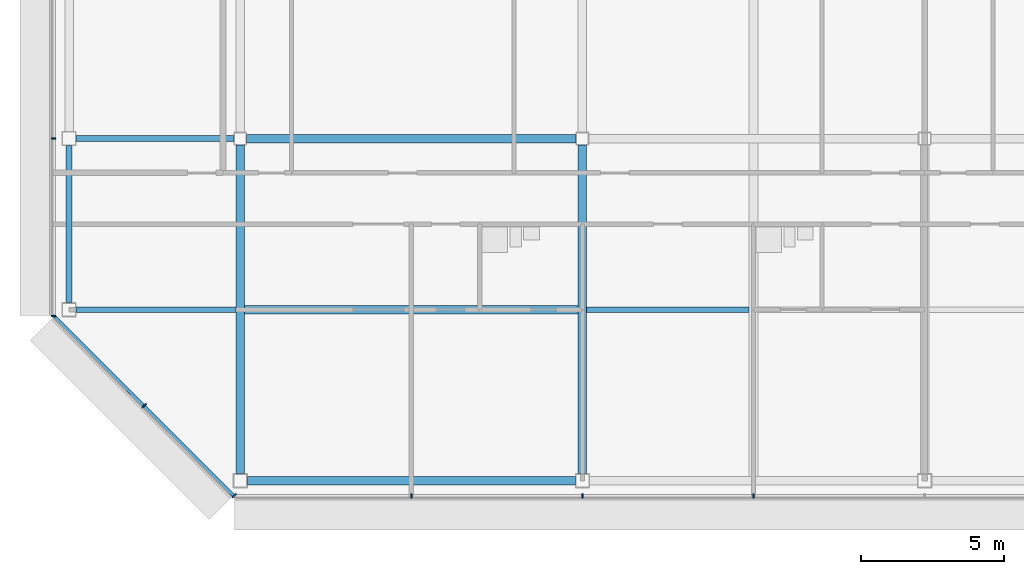
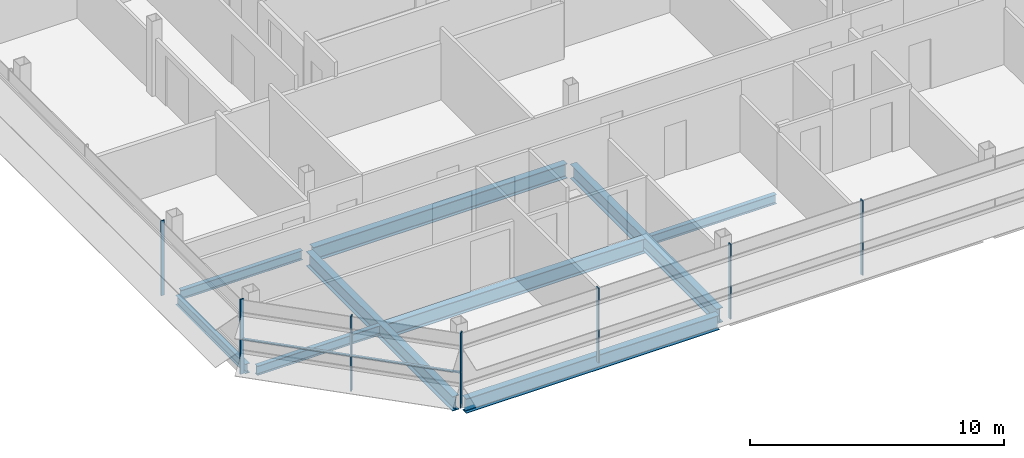
# One storey, part 4 of 28: 9 beams, 8 members, 3 elements without a shape of their own.
"""IFC4 building model written with IfcOpenShell, lengths in metres."""

from ifc_helpers import new_model, si_unit, direction, frame, origin, origin_2d, place, context, subcontext, project, spatial, rectangle, i_section, extrude, material, material_profile, profile_set, type_object, element, aggregate, save


model = new_model("IFC4")

# Units and contexts
model_context = context("Model", 3, precision=1e-05, world=origin(), true_north=direction((0.0, 1.0)))
body_context = subcontext(model_context, "Body", "Model", "MODEL_VIEW")
ifc_project = project(units=[si_unit("LENGTHUNIT", "METRE"), si_unit("AREAUNIT", "SQUARE_METRE"), si_unit("VOLUMEUNIT", "CUBIC_METRE"), si_unit("PLANEANGLEUNIT", "RADIAN"), si_unit("MASSUNIT", "GRAM", prefix="KILO")], contexts=[model_context])

# Site, building, storey
site_placement = place(None, origin())
site = spatial("IfcSite", under=ifc_project, at=site_placement, CompositionType="ELEMENT")
building_placement = place(site_placement, origin())
building = spatial("IfcBuilding", under=site, at=building_placement, Name="Sorahane Residences", CompositionType="ELEMENT")
storey_placement = place(building_placement, frame((0.0, 0.0, 308.800048828125)))
storey = spatial("IfcBuildingStorey", under=building, at=storey_placement, Name="L73", CompositionType="ELEMENT", Elevation=308.800048828125)

# Curtain wall, members
ifc_material_1 = material(Name="Dark low-e glass and black anodised aluminium", Category="aluminium")
curtain_wall_type_1 = type_object("IfcCurtainWallType", Name="Curtain wall CW-1 Typical unitised wall", PredefinedType="NOTDEFINED", material=ifc_material_1)
curtain_wall_1_placement = place(storey_placement, origin())
curtain_wall_1 = element("IfcCurtainWall", 1, at=curtain_wall_1_placement, inside=storey, type_object=curtain_wall_type_1, Name="CW-1 curtain wall L73 S1", PredefinedType="NOTDEFINED")
ifc_material_2 = material(Name="Black anodised aluminium", Category="aluminium")
ifc_material_profile_1 = material_profile(ifc_material_2, rectangle(XDim=0.159912109375, YDim=0.050048828125, at=origin_2d()), Name="Curtain wall mullion CW-1 black anodised aluminium 50x160")
ifc_profile_set_1 = profile_set([ifc_material_profile_1], Name="Black anodised aluminium")
member_type_1 = type_object("IfcMemberType", Name="Curtain wall mullion CW-1 black anodised aluminium 50x160", PredefinedType="MULLION", material=ifc_profile_set_1)
member_1_placement = place(storey_placement, frame((-6.0, -0.5400390625, -0.179931640625), z_axis=(0.0, 0.0, 1.0), x_axis=(0.0, -1.0, 0.0)))
member_1 = element("IfcMember", 2, at=member_1_placement, type_object=member_type_1, Name="CW-1 mullion L73 S1.2", PredefinedType="MULLION", context=body_context, shape_type="SweptSolid", body=[
    extrude(rectangle(XDim=0.159912109375, YDim=0.050048828125, at=origin_2d()), origin(), (0.0, 0.0, 1.0), 3.599853515625),
])
member_2_placement = place(storey_placement, frame((0.0, -0.5400390625, -0.179931640625), z_axis=(0.0, 0.0, 1.0), x_axis=(0.0, -1.0, 0.0)))
member_2 = element("IfcMember", 3, at=member_2_placement, type_object=member_type_1, Name="CW-1 mullion L73 S1.3", PredefinedType="MULLION", context=body_context, shape_type="SweptSolid", body=[
    extrude(rectangle(XDim=0.159912109375, YDim=0.050048828125, at=origin_2d()), origin(), (0.0, 0.0, 1.0), 3.599853515625),
])
member_3_placement = place(storey_placement, frame((6.0, -0.5400390625, -0.179931640625), z_axis=(0.0, 0.0, 1.0), x_axis=(0.0, -1.0, 0.0)))
member_3 = element("IfcMember", 4, at=member_3_placement, type_object=member_type_1, Name="CW-1 mullion L73 S1.4", PredefinedType="MULLION", context=body_context, shape_type="SweptSolid", body=[
    extrude(rectangle(XDim=0.159912109375, YDim=0.050048828125, at=origin_2d()), origin(), (0.0, 0.0, 1.0), 3.599853515625),
])
aggregate(curtain_wall_1, [member_1, member_2, member_3])

curtain_wall_2_placement = place(storey_placement, origin())
curtain_wall_2 = element("IfcCurtainWall", 5, at=curtain_wall_2_placement, inside=storey, type_object=curtain_wall_type_1, Name="CW-1 curtain wall L73 W1", PredefinedType="NOTDEFINED")
member_4_placement = place(storey_placement, frame((-18.5400390625, 12.0, -0.179931640625), z_axis=(0.0, 0.0, 1.0), x_axis=(-1.0, 0.0, 0.0)))
member_4 = element("IfcMember", 6, at=member_4_placement, type_object=member_type_1, Name="CW-1 mullion L73 W1.6", PredefinedType="MULLION", context=body_context, shape_type="SweptSolid", body=[
    extrude(rectangle(XDim=0.159912109375, YDim=0.050048828125, at=origin_2d()), origin(), (0.0, 0.0, 1.0), 3.599853515625),
])
member_5_placement = place(storey_placement, frame((-18.5400390625, 5.7763671875, -0.179931640625), z_axis=(0.0, 0.0, 1.0), x_axis=(-1.0, 0.0, 0.0)))
member_5 = element("IfcMember", 7, at=member_5_placement, type_object=member_type_1, Name="CW-1 mullion L73 W1.7", PredefinedType="MULLION", context=body_context, shape_type="SweptSolid", body=[
    extrude(rectangle(XDim=0.159912109375, YDim=0.050048828125, at=origin_2d()), origin(), (0.0, 0.0, 1.0), 3.599853515625),
])
aggregate(curtain_wall_2, [member_4, member_5])

ifc_material_3 = material(Name="Dark low-e glass and black anodised aluminium", Category="aluminium")
curtain_wall_type_2 = type_object("IfcCurtainWallType", Name="Curtain wall CW-2 Chamfer unitised wall", PredefinedType="NOTDEFINED", material=ifc_material_3)
curtain_wall_3_placement = place(storey_placement, origin())
curtain_wall_3 = element("IfcCurtainWall", 8, at=curtain_wall_3_placement, inside=storey, type_object=curtain_wall_type_2, Name="CW-2 curtain wall L73 SW1", PredefinedType="NOTDEFINED")
ifc_material_4 = material(Name="Black anodised aluminium", Category="aluminium")
ifc_material_profile_2 = material_profile(ifc_material_4, rectangle(XDim=0.199951171875, YDim=0.050048828125, at=origin_2d()), Name="Curtain wall mullion CW-2 black anodised aluminium 50x200")
ifc_profile_set_2 = profile_set([ifc_material_profile_2], Name="Black anodised aluminium")
member_type_2 = type_object("IfcMemberType", Name="Curtain wall mullion CW-2 black anodised aluminium 50x200", PredefinedType="MULLION", material=ifc_profile_set_2)
member_6_placement = place(storey_placement, frame((-15.36767578125, 2.63232421875, -0.179931640625), z_axis=(0.0, 0.0, 1.0), x_axis=(-0.707106781187, -0.707106781187, 0.0)))
member_6 = element("IfcMember", 9, at=member_6_placement, type_object=member_type_2, Name="CW-2 mullion L73 SW1.2", PredefinedType="MULLION", context=body_context, shape_type="SweptSolid", body=[
    extrude(rectangle(XDim=0.199951171875, YDim=0.050048828125, at=origin_2d()), origin(), (0.0, 0.0, 1.0), 3.599853515625),
])
member_7_placement = place(storey_placement, frame((-12.209716796875, -0.525634765625, -0.179931640625), z_axis=(0.0, 0.0, 1.0), x_axis=(-0.707106781187, -0.707106781187, 0.0)))
member_7 = element("IfcMember", 10, at=member_7_placement, type_object=member_type_2, Name="CW-2 mullion L73 SW1.3", PredefinedType="MULLION", context=body_context, shape_type="SweptSolid", body=[
    extrude(rectangle(XDim=0.199951171875, YDim=0.050048828125, at=origin_2d()), origin(), (0.0, 0.0, 1.0), 3.599853515625),
])
ifc_material_5 = material(Name="Black anodised aluminium", Category="aluminium")
ifc_material_profile_3 = material_profile(ifc_material_5, rectangle(XDim=0.10009765625, YDim=0.06005859375, at=origin_2d()), Name="Curtain wall transom CW-2 black anodised aluminium 60x100")
ifc_profile_set_3 = profile_set([ifc_material_profile_3], Name="Black anodised aluminium")
member_type_3 = type_object("IfcMemberType", Name="Curtain wall transom CW-2 black anodised aluminium 60x100", PredefinedType="USERDEFINED", material=ifc_profile_set_3)
member_8_placement = place(storey_placement, frame((-18.51513671875, 5.765625, 1.5), z_axis=(0.707106781187, -0.707106781187, 0.0), x_axis=(0.707106781187, 0.707106781187, 0.0)))
member_8 = element("IfcMember", 11, at=member_8_placement, type_object=member_type_3, Name="CW-2 transom L73 SW1", ObjectType="TRANSOM", PredefinedType="USERDEFINED", context=body_context, shape_type="SweptSolid", body=[
    extrude(rectangle(XDim=0.10009765625, YDim=0.06005859375, at=origin_2d()), origin(), (0.0, 0.0, 1.0), 8.88232421875),
])
aggregate(curtain_wall_3, [member_6, member_7, member_8])

# Beams
ifc_material_6 = material(Name="Steel Q355B", Category="steel")
ifc_material_profile_4 = material_profile(ifc_material_6, i_section(OverallWidth=0.199951171875, OverallDepth=0.449951171875, WebThickness=0.009033203125, FlangeThickness=0.013916015625, FilletRadius=0.02001953125, at=origin_2d()), Name="HN 450x200x9x14")
ifc_profile_set_4 = profile_set([ifc_material_profile_4], Name="Steel Q355B")
beam_type_1 = type_object("IfcBeamType", Name="Steel floor beam HN 450x200x9x14 Q355B", PredefinedType="BEAM", material=ifc_profile_set_4)
beam_1_placement = place(storey_placement, frame((-17.75, 12.0, -0.405029296875), z_axis=(1.0, 0.0, 0.0), x_axis=(0.0, 1.0, 0.0)))
element("IfcBeam", 12, at=beam_1_placement, inside=storey, type_object=beam_type_1, Name="Beam L73 005", PredefinedType="BEAM", context=body_context, shape_type="SweptSolid", body=[
    extrude(i_section(OverallWidth=0.199951171875, OverallDepth=0.449951171875, WebThickness=0.009033203125, FlangeThickness=0.013916015625, FilletRadius=0.02001953125, at=origin_2d()), origin(), (0.0, 0.0, 1.0), 5.52490234375),
])
beam_2_placement = place(storey_placement, frame((-18.0, 6.25, -0.405029296875), z_axis=(0.0, 1.0, 0.0), x_axis=(-1.0, 0.0, 0.0)))
element("IfcBeam", 13, at=beam_2_placement, inside=storey, type_object=beam_type_1, Name="Beam L73 020", PredefinedType="BEAM", context=body_context, shape_type="SweptSolid", body=[
    extrude(i_section(OverallWidth=0.199951171875, OverallDepth=0.449951171875, WebThickness=0.009033203125, FlangeThickness=0.013916015625, FilletRadius=0.02001953125, at=origin_2d()), origin(), (0.0, 0.0, 1.0), 5.5),
])
beam_3_placement = place(storey_placement, frame((-17.75, 6.0, -0.405029296875), z_axis=(1.0, 0.0, 0.0), x_axis=(0.0, 1.0, 0.0)))
element("IfcBeam", 14, at=beam_3_placement, inside=storey, type_object=beam_type_1, Name="Beam L73 066", PredefinedType="BEAM", context=body_context, shape_type="SweptSolid", body=[
    extrude(i_section(OverallWidth=0.199951171875, OverallDepth=0.449951171875, WebThickness=0.009033203125, FlangeThickness=0.013916015625, FilletRadius=0.02001953125, at=origin_2d()), origin(), (0.0, 0.0, 1.0), 5.60009765625),
])
beam_4_placement = place(storey_placement, frame((0.14990234375, 6.0, -0.405029296875), z_axis=(1.0, 0.0, 0.0), x_axis=(0.0, 1.0, 0.0)))
element("IfcBeam", 15, at=beam_4_placement, inside=storey, type_object=beam_type_1, Name="Beam L73 068", PredefinedType="BEAM", context=body_context, shape_type="SweptSolid", body=[
    extrude(i_section(OverallWidth=0.199951171875, OverallDepth=0.449951171875, WebThickness=0.009033203125, FlangeThickness=0.013916015625, FilletRadius=0.02001953125, at=origin_2d()), origin(), (0.0, 0.0, 1.0), 5.7001953125),
])
ifc_material_7 = material(Name="Steel Q355B", Category="steel")
ifc_material_profile_5 = material_profile(ifc_material_7, i_section(OverallWidth=0.300048828125, OverallDepth=0.699951171875, WebThickness=0.012939453125, FlangeThickness=0.02392578125, FilletRadius=0.028076171875, at=origin_2d()), Name="HN 700x300x13x24")
ifc_profile_set_5 = profile_set([ifc_material_profile_5], Name="Steel Q355B")
beam_type_2 = type_object("IfcBeamType", Name="Steel floor beam HN 700x300x13x24 Q355B", PredefinedType="BEAM", material=ifc_profile_set_5)
beam_5_placement = place(storey_placement, frame((-11.75, 0.0, -0.530029296875), z_axis=(1.0, 0.0, 0.0), x_axis=(0.0, 1.0, 0.0)))
element("IfcBeam", 16, at=beam_5_placement, inside=storey, type_object=beam_type_2, Name="Beam L73 000", PredefinedType="BEAM", context=body_context, shape_type="SweptSolid", body=[
    extrude(i_section(OverallWidth=0.300048828125, OverallDepth=0.699951171875, WebThickness=0.012939453125, FlangeThickness=0.02392578125, FilletRadius=0.028076171875, at=origin_2d()), origin(), (0.0, 0.0, 1.0), 11.5),
])
beam_6_placement = place(storey_placement, frame((-11.77490234375, 12.0, -0.530029296875), z_axis=(1.0, 0.0, 0.0), x_axis=(0.0, 1.0, 0.0)))
element("IfcBeam", 17, at=beam_6_placement, inside=storey, type_object=beam_type_2, Name="Beam L73 006", PredefinedType="BEAM", context=body_context, shape_type="SweptSolid", body=[
    extrude(i_section(OverallWidth=0.300048828125, OverallDepth=0.699951171875, WebThickness=0.012939453125, FlangeThickness=0.02392578125, FilletRadius=0.028076171875, at=origin_2d()), origin(), (0.0, 0.0, 1.0), 11.5498046875),
])
for number, where, z_axis, x_axis, name in (
    (18, (-12.0, 0.25, -0.530029296875), (0.0, 1.0, 0.0), (-1.0, 0.0, 0.0), "Beam L73 024"),
    (19, (0.0, 0.25, -0.530029296875), (0.0, 1.0, 0.0), (-1.0, 0.0, 0.0), "Beam L73 028"),
):
    element("IfcBeam", number, at=place(storey_placement, frame(where, z_axis=z_axis, x_axis=x_axis)), inside=storey, type_object=beam_type_2, Name=name, PredefinedType="BEAM", context=body_context, shape_type="SweptSolid", body=[
        extrude(i_section(OverallWidth=0.300048828125, OverallDepth=0.699951171875, WebThickness=0.012939453125, FlangeThickness=0.02392578125, FilletRadius=0.028076171875, at=origin_2d()), origin(), (0.0, 0.0, 1.0), 11.52490234375),
    ])
beam_7_placement = place(storey_placement, frame((-11.85009765625, 6.0, -0.530029296875), z_axis=(1.0, 0.0, 0.0), x_axis=(0.0, 1.0, 0.0)))
element("IfcBeam", 20, at=beam_7_placement, inside=storey, type_object=beam_type_2, Name="Beam L73 067", PredefinedType="BEAM", context=body_context, shape_type="SweptSolid", body=[
    extrude(i_section(OverallWidth=0.300048828125, OverallDepth=0.699951171875, WebThickness=0.012939453125, FlangeThickness=0.02392578125, FilletRadius=0.028076171875, at=origin_2d()), origin(), (0.0, 0.0, 1.0), 11.7001953125),
])

save(model, "model.ifc")
